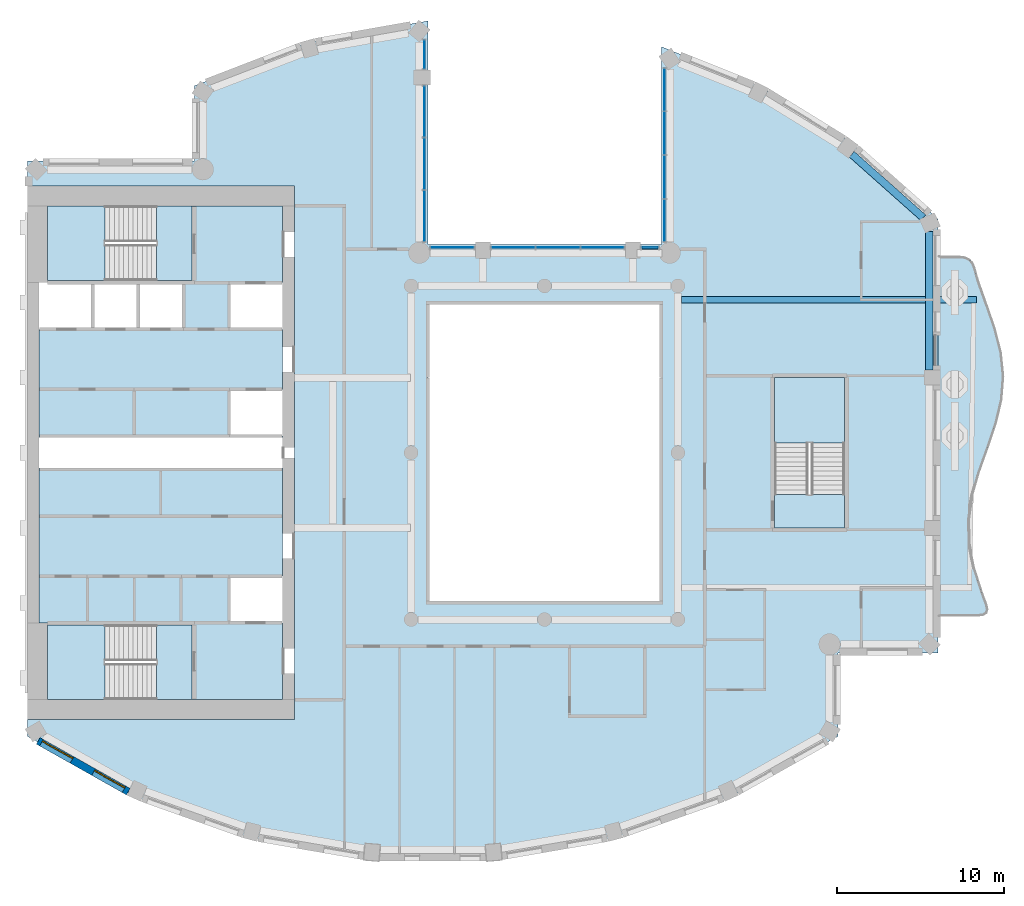
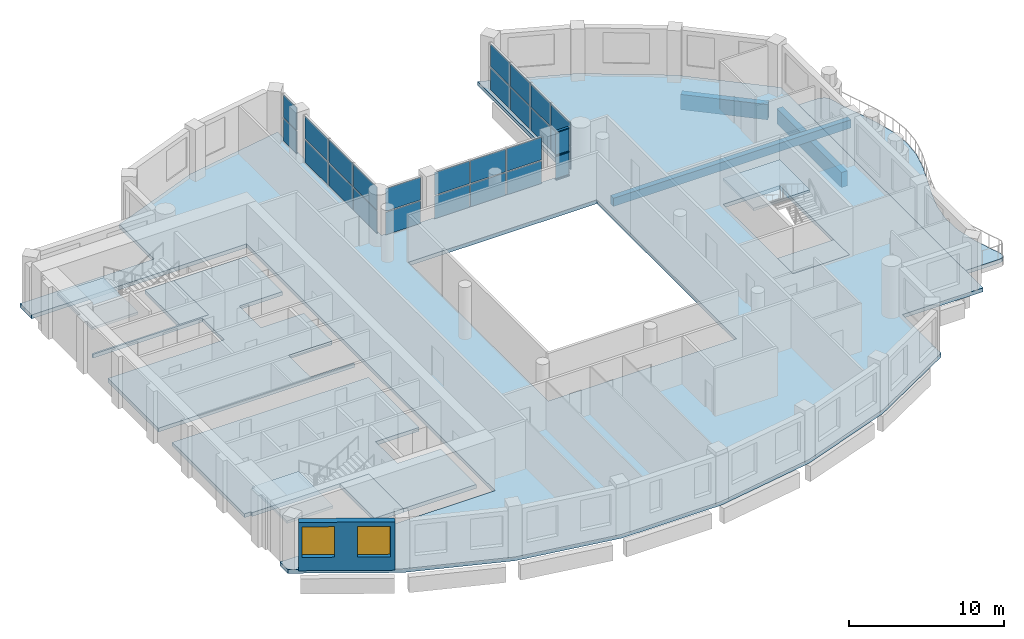
# One storey, part 3 of 14: 26 plates, 10 slabs, 3 beams, 3 members, 2 windows, 1 wall, 2 openings, 9 elements without a shape of their own.
"""IFC4 building model written with IfcOpenShell, lengths in metres."""

from ifc_helpers import new_model, si_unit, direction, frame, frame_2d, origin, origin_2d, place, context, subcontext, project, spatial, polyline, rectangle, outline, extrude, material, layer, layer_set, material_profile, profile_set, type_object, element, fill, aggregate, save


model = new_model("IFC4")

# Units and contexts
model_context = context("Model", 3, precision=1e-05, world=origin(), true_north=direction((0.0, 1.0)))
body_context = subcontext(model_context, "Body", "Model", "MODEL_VIEW")
ifc_project = project(units=[si_unit("LENGTHUNIT", "METRE"), si_unit("AREAUNIT", "SQUARE_METRE"), si_unit("VOLUMEUNIT", "CUBIC_METRE"), si_unit("PLANEANGLEUNIT", "RADIAN"), si_unit("MASSUNIT", "GRAM", prefix="KILO")], contexts=[model_context])

# Site, building, storey
site_placement = place(None, origin())
site = spatial("IfcSite", under=ifc_project, at=site_placement, CompositionType="ELEMENT")
building_placement = place(site_placement, origin())
building = spatial("IfcBuilding", under=site, at=building_placement, Name="Cypress Arch Tower", CompositionType="ELEMENT")
storey_placement = place(building_placement, frame((0.0, 0.0, 300.800048828125)))
storey = spatial("IfcBuildingStorey", under=building, at=storey_placement, Name="L68", CompositionType="ELEMENT", Elevation=300.800048828125)

# Beams
ifc_material_1 = material(Name="Concrete C50/60", Category="concrete")
ifc_material_profile_1 = material_profile(ifc_material_1, rectangle(XDim=0.39990234375, YDim=0.64990234375, at=origin_2d()), Name="RC 400x650")
ifc_profile_set_1 = profile_set([ifc_material_profile_1], Name="Concrete C50/60")
beam_type_1 = type_object("IfcBeamType", Name="Cantilever beam RC 400x650 Concrete C50/60", PredefinedType="BEAM", material=ifc_profile_set_1)
beam_1_placement = place(storey_placement, frame((9.22509765625, 9.1826171875, -0.625), z_axis=(1.0, 0.0, 0.0), x_axis=(0.0, 1.0, 0.0)))
element("IfcBeam", 1, at=beam_1_placement, inside=storey, type_object=beam_type_1, Name="Cantilever beam L68 C17 2", PredefinedType="BEAM", context=body_context, shape_type="SweptSolid", body=[
    extrude(rectangle(XDim=0.39990234375, YDim=0.64990234375, at=origin_2d()), origin(), (0.0, 0.0, 1.0), 17.661376953125),
])
ifc_material_2 = material(Name="Concrete C50/60", Category="concrete")
ifc_material_profile_2 = material_profile(ifc_material_2, rectangle(XDim=0.449951171875, YDim=1.199951171875, at=origin_2d()), Name="RC 450x1200")
ifc_profile_set_2 = profile_set([ifc_material_profile_2], Name="Concrete C50/60")
beam_type_2 = type_object("IfcBeamType", Name="Spandrel beam RC 450x1200 Concrete C50/60", PredefinedType="SPANDREL", material=ifc_profile_set_2)
beam_2_placement = place(storey_placement, frame((24.074951171875, 4.949951171875, -1.550048828125), z_axis=(0.0, 1.0, 0.0), x_axis=(-1.0, 0.0, 0.0)))
element("IfcBeam", 2, at=beam_2_placement, inside=storey, type_object=beam_type_2, Name="Spandrel beam L68 BC17-2", PredefinedType="SPANDREL", context=body_context, shape_type="SweptSolid", body=[
    extrude(rectangle(XDim=0.449951171875, YDim=1.199951171875, at=origin_2d()), origin(), (0.0, 0.0, 1.0), 8.32080078125),
])
beam_3_placement = place(storey_placement, frame((23.706298828125, 14.091796875, -1.550048828125), z_axis=(-0.747555073917, 0.664199827959, 0.0), x_axis=(-0.664199827959, -0.747555073917, 0.0)))
element("IfcBeam", 3, at=beam_3_placement, inside=storey, type_object=beam_type_2, Name="Spandrel beam L68 BC18-0", PredefinedType="SPANDREL", context=body_context, shape_type="SweptSolid", body=[
    extrude(rectangle(XDim=0.449951171875, YDim=1.199951171875, at=origin_2d()), origin(), (0.0, 0.0, 1.0), 5.72900390625),
])

# Curtain wall, members
ifc_material_3 = material(Name="Anodised aluminium, bronze finish, clear laminated double glazing", Category="aluminium")
curtain_wall_type = type_object("IfcCurtainWallType", Name="Curtain wall CW7 slot glazing", PredefinedType="NOTDEFINED", material=ifc_material_3)
curtain_wall_1_placement = place(storey_placement, origin())
curtain_wall_1 = element("IfcCurtainWall", 4, at=curtain_wall_1_placement, inside=storey, type_object=curtain_wall_type, Name="Curtain wall L68 slot C01.0", PredefinedType="NOTDEFINED")
ifc_material_4 = material(Name="Anodised aluminium, bronze finish", Category="aluminium")
ifc_material_profile_3 = material_profile(ifc_material_4, rectangle(XDim=0.179931640625, YDim=0.0849609375, at=origin_2d()), Name="Transom 85x180")
ifc_profile_set_3 = profile_set([ifc_material_profile_3], Name="Anodised aluminium, bronze finish")
member_type = type_object("IfcMemberType", Name="Transom CW7 85x180", PredefinedType="USERDEFINED", material=ifc_profile_set_3)
member_1_placement = place(storey_placement, frame((7.8134765625, 12.300048828125, 0.04248046875), z_axis=(-1.0, 0.0, 0.0), x_axis=(0.0, -1.0, 0.0)))
member_1 = element("IfcMember", 5, at=member_1_placement, type_object=member_type, Name="CW7 transom 1.1", ObjectType="TRANSOM", PredefinedType="USERDEFINED", context=body_context, shape_type="SweptSolid", body=[
    extrude(rectangle(XDim=0.179931640625, YDim=0.0849609375, at=origin_2d()), origin(), (0.0, 0.0, 1.0), 0.978515625),
])
member_2_placement = place(storey_placement, frame((7.8134765625, 12.300048828125, 1.89990234375), z_axis=(-1.0, 0.0, 0.0), x_axis=(0.0, -1.0, 0.0)))
member_2 = element("IfcMember", 6, at=member_2_placement, type_object=member_type, Name="CW7 transom 1.2", ObjectType="TRANSOM", PredefinedType="USERDEFINED", context=body_context, shape_type="SweptSolid", body=[
    extrude(rectangle(XDim=0.179931640625, YDim=0.0849609375, at=origin_2d()), origin(), (0.0, 0.0, 1.0), 0.978515625),
])
member_3_placement = place(storey_placement, frame((7.8134765625, 12.300048828125, 3.757568359375), z_axis=(-1.0, 0.0, 0.0), x_axis=(0.0, -1.0, 0.0)))
member_3 = element("IfcMember", 7, at=member_3_placement, type_object=member_type, Name="CW7 transom 1.3", ObjectType="TRANSOM", PredefinedType="USERDEFINED", context=body_context, shape_type="SweptSolid", body=[
    extrude(rectangle(XDim=0.179931640625, YDim=0.0849609375, at=origin_2d()), origin(), (0.0, 0.0, 1.0), 0.978515625),
])

# Slabs
ifc_material_5 = material(Name="Concrete C40/50", Category="concrete")
ifc_layer_1 = layer(ifc_material_5, 0.300048828125)
ifc_layer_set_1 = layer_set([ifc_layer_1], Name="Balcony slab BS300")
slab_type_1 = type_object("IfcSlabType", Name="Balcony slab BS300", PredefinedType="USERDEFINED", material=ifc_layer_set_1)
slab_1_placement = place(storey_placement, frame((0.0, 0.0, -0.300048828125)))
element("IfcSlab", 8, at=slab_1_placement, inside=storey, type_object=slab_type_1, Name="Balcony slab L68-C17", ObjectType="BALCONY SLAB", PredefinedType="USERDEFINED", context=body_context, shape_type="SweptSolid", body=[
    extrude(outline(polyline([(24.60009765625, -9.75), (27.03564453125, -9.75), (27.3212890625, -9.709716796875), (27.49169921875, -9.5888671875), (27.54736328125, -9.38720703125), (27.48779296875, -9.10498046875), (27.201904296875, -8.316650390625), (26.742919921875, -6.88330078125), (26.457275390625, -5.449951171875), (26.414794921875, -4.0166015625), (26.62646484375, -2.583251953125), (27.039794921875, -1.14990234375), (27.5537109375, 0.283447265625), (28.042236328125, 1.716552734375), (28.385498046875, 3.14990234375), (28.49951171875, 4.583251953125), (28.356201171875, 6.0166015625), (27.99072265625, 7.449951171875), (27.49267578125, 8.88330078125), (26.984130859375, 10.316650390625), (26.767333984375, 11.10498046875), (26.64794921875, 11.38720703125), (26.467041015625, 11.5888671875), (26.224609375, 11.709716796875), (25.9208984375, 11.75), (24.60009765625, 11.75), (24.60009765625, -9.75)])), origin(), (0.0, 0.0, 1.0), 0.300048828125),
])
ifc_material_6 = material(Name="Concrete C40/50", Category="concrete")
ifc_layer_2 = layer(ifc_material_6, 0.300048828125)
ifc_layer_set_2 = layer_set([ifc_layer_2], Name="Core floor CF300")
slab_type_2 = type_object("IfcSlabType", Name="Core floor CF300", PredefinedType="FLOOR", material=ifc_layer_set_2)
slab_2_placement = place(storey_placement, frame((0.0, 0.0, -0.300048828125)))
element("IfcSlab", 9, at=slab_2_placement, inside=storey, type_object=slab_type_2, Name="Core floor", PredefinedType="FLOOR", context=body_context, shape_type="SweptSolid", body=[
    extrude(outline(polyline([(-28.89990234375, -10.199951171875), (-29.300048828125, -10.199951171875), (-29.300048828125, -0.89990234375), (-28.89990234375, -0.89990234375), (-15.10009765625, -0.89990234375), (-14.699951171875, -0.89990234375), (-14.699951171875, -7.39990234375), (-15.10009765625, -7.39990234375), (-17.919921875, -7.39990234375), (-17.919921875, -10.199951171875), (-15.10009765625, -10.199951171875), (-14.699951171875, -10.199951171875), (-14.699951171875, -14.800048828125), (-15.10009765625, -14.800048828125), (-20.125, -14.800048828125), (-20.125, -10.324951171875), (-22.27490234375, -10.324951171875), (-28.800048828125, -10.324951171875), (-28.800048828125, -10.199951171875), (-28.89990234375, -10.199951171875)])), origin(), (0.0, 0.0, 1.0), 0.300048828125),
])
slab_3_placement = place(storey_placement, frame((0.0, 0.0, -0.300048828125)))
element("IfcSlab", 10, at=slab_3_placement, inside=storey, type_object=slab_type_2, Name="Core floor", PredefinedType="FLOOR", context=body_context, shape_type="SweptSolid", body=[
    extrude(outline(polyline([(-22.27490234375, -10.324951171875), (-22.27490234375, -14.800048828125), (-20.125, -14.800048828125), (-20.125, -10.324951171875), (-22.27490234375, -10.324951171875)])), origin(), (0.0, 0.0, 1.0), 0.300048828125),
])
slab_4_placement = place(storey_placement, frame((0.0, 0.0, -0.300048828125)))
element("IfcSlab", 11, at=slab_4_placement, inside=storey, type_object=slab_type_2, Name="Core floor", PredefinedType="FLOOR", context=body_context, shape_type="SweptSolid", body=[
    extrude(outline(polyline([(-20.125, 14.800048828125), (-22.27490234375, 14.800048828125), (-22.27490234375, 10.324951171875), (-20.125, 10.324951171875), (-20.125, 14.800048828125)])), origin(), (0.0, 0.0, 1.0), 0.300048828125),
])
slab_5_placement = place(storey_placement, frame((0.0, 0.0, -0.300048828125)))
element("IfcSlab", 12, at=slab_5_placement, inside=storey, type_object=slab_type_2, Name="Stair floor landing", PredefinedType="FLOOR", context=body_context, shape_type="SweptSolid", body=[
    extrude(outline(polyline([(19.0, -4.5), (19.0, -2.5), (14.800048828125, -2.5), (14.800048828125, -4.5), (19.0, -4.5)])), origin(), (0.0, 0.0, 1.0), 0.300048828125),
])
slab_6_placement = place(storey_placement, frame((0.0, 0.0, -0.300048828125)))
element("IfcSlab", 13, at=slab_6_placement, inside=storey, type_object=slab_type_2, Name="Core floor", PredefinedType="FLOOR", context=body_context, shape_type="SweptSolid", body=[
    extrude(outline(polyline([(-20.639892578125, 10.199951171875), (-23.360107421875, 10.199951171875), (-26.080078125, 10.199951171875), (-28.800048828125, 10.199951171875), (-28.800048828125, 10.324951171875), (-22.27490234375, 10.324951171875), (-20.125, 10.324951171875), (-20.125, 14.800048828125), (-15.10009765625, 14.800048828125), (-14.699951171875, 14.800048828125), (-14.699951171875, 10.199951171875), (-15.10009765625, 10.199951171875), (-17.919921875, 10.199951171875), (-17.919921875, 7.39990234375), (-15.10009765625, 7.39990234375), (-14.699951171875, 7.39990234375), (-14.699951171875, 3.800048828125), (-15.10009765625, 3.800048828125), (-17.919921875, 3.800048828125), (-17.919921875, 1.5), (-17.919921875, 1.0), (-17.5, 1.0), (-15.10009765625, 1.0), (-14.699951171875, 1.0), (-14.699951171875, 0.89990234375), (-15.10009765625, 0.89990234375), (-17.5, 0.89990234375), (-18.300048828125, 0.89990234375), (-28.89990234375, 0.89990234375), (-29.300048828125, 0.89990234375), (-29.300048828125, 1.5), (-29.300048828125, 7.39990234375), (-28.89990234375, 7.39990234375), (-26.080078125, 7.39990234375), (-23.360107421875, 7.39990234375), (-20.639892578125, 7.39990234375), (-20.639892578125, 10.199951171875)])), origin(), (0.0, 0.0, 1.0), 0.300048828125),
])

# Curtain wall, plates
curtain_wall_2_placement = place(storey_placement, origin())
curtain_wall_2 = element("IfcCurtainWall", 14, at=curtain_wall_2_placement, inside=storey, type_object=curtain_wall_type, Name="Curtain wall L68 slot C00.0", PredefinedType="NOTDEFINED")
ifc_material_7 = material(Name="Clear laminated double glazing", Category="glass")
ifc_layer_3 = layer(ifc_material_7, 0.0439453125)
ifc_layer_set_3 = layer_set([ifc_layer_3], Name="Glass panel CW7 44")
plate_type = type_object("IfcPlateType", Name="Glass panel CW7 44", PredefinedType="CURTAIN_PANEL", material=ifc_layer_set_3)
plate_1_placement = place(storey_placement, frame((8.199951171875, 21.768798828125, 0.0849609375), z_axis=(0.0, 0.0, 1.0), x_axis=(0.0, -1.0, 0.0)))
plate_1 = element("IfcPlate", 15, at=plate_1_placement, type_object=plate_type, Name="CW7 panel 1.1", PredefinedType="CURTAIN_PANEL", context=body_context, shape_type="SweptSolid", body=[
    extrude(rectangle(XDim=2.497802734375, YDim=0.0439453125, at=origin_2d()), origin(), (0.0, 0.0, 1.0), 1.7724609375),
])
plate_2_placement = place(storey_placement, frame((8.199951171875, 21.768798828125, 1.9423828125), z_axis=(0.0, 0.0, 1.0), x_axis=(0.0, -1.0, 0.0)))
plate_2 = element("IfcPlate", 16, at=plate_2_placement, type_object=plate_type, Name="CW7 panel 1.2", PredefinedType="CURTAIN_PANEL", context=body_context, shape_type="SweptSolid", body=[
    extrude(rectangle(XDim=2.497802734375, YDim=0.0439453125, at=origin_2d()), origin(), (0.0, 0.0, 1.0), 1.7724609375),
])
plate_3_placement = place(storey_placement, frame((8.199951171875, 19.164794921875, 0.0849609375), z_axis=(0.0, 0.0, 1.0), x_axis=(0.0, -1.0, 0.0)))
plate_3 = element("IfcPlate", 17, at=plate_3_placement, type_object=plate_type, Name="CW7 panel 2.1", PredefinedType="CURTAIN_PANEL", context=body_context, shape_type="SweptSolid", body=[
    extrude(rectangle(XDim=2.540283203125, YDim=0.0439453125, at=origin_2d()), origin(), (0.0, 0.0, 1.0), 1.7724609375),
])
plate_4_placement = place(storey_placement, frame((8.199951171875, 19.164794921875, 1.9423828125), z_axis=(0.0, 0.0, 1.0), x_axis=(0.0, -1.0, 0.0)))
plate_4 = element("IfcPlate", 18, at=plate_4_placement, type_object=plate_type, Name="CW7 panel 2.2", PredefinedType="CURTAIN_PANEL", context=body_context, shape_type="SweptSolid", body=[
    extrude(rectangle(XDim=2.540283203125, YDim=0.0439453125, at=origin_2d()), origin(), (0.0, 0.0, 1.0), 1.7724609375),
])
plate_5_placement = place(storey_placement, frame((8.199951171875, 16.53955078125, 0.0849609375), z_axis=(0.0, 0.0, 1.0), x_axis=(0.0, -1.0, 0.0)))
plate_5 = element("IfcPlate", 19, at=plate_5_placement, type_object=plate_type, Name="CW7 panel 3.1", PredefinedType="CURTAIN_PANEL", context=body_context, shape_type="SweptSolid", body=[
    extrude(rectangle(XDim=2.540283203125, YDim=0.0439453125, at=origin_2d()), origin(), (0.0, 0.0, 1.0), 1.7724609375),
])
plate_6_placement = place(storey_placement, frame((8.199951171875, 16.53955078125, 1.9423828125), z_axis=(0.0, 0.0, 1.0), x_axis=(0.0, -1.0, 0.0)))
plate_6 = element("IfcPlate", 20, at=plate_6_placement, type_object=plate_type, Name="CW7 panel 3.2", PredefinedType="CURTAIN_PANEL", context=body_context, shape_type="SweptSolid", body=[
    extrude(rectangle(XDim=2.540283203125, YDim=0.0439453125, at=origin_2d()), origin(), (0.0, 0.0, 1.0), 1.7724609375),
])
plate_7_placement = place(storey_placement, frame((8.199951171875, 13.935302734375, 0.0849609375), z_axis=(0.0, 0.0, 1.0), x_axis=(0.0, -1.0, 0.0)))
plate_7 = element("IfcPlate", 21, at=plate_7_placement, type_object=plate_type, Name="CW7 panel 4.1", PredefinedType="CURTAIN_PANEL", context=body_context, shape_type="SweptSolid", body=[
    extrude(rectangle(XDim=2.497802734375, YDim=0.0439453125, at=origin_2d()), origin(), (0.0, 0.0, 1.0), 1.7724609375),
])
plate_8_placement = place(storey_placement, frame((8.199951171875, 13.935302734375, 1.9423828125), z_axis=(0.0, 0.0, 1.0), x_axis=(0.0, -1.0, 0.0)))
plate_8 = element("IfcPlate", 22, at=plate_8_placement, type_object=plate_type, Name="CW7 panel 4.2", PredefinedType="CURTAIN_PANEL", context=body_context, shape_type="SweptSolid", body=[
    extrude(rectangle(XDim=2.497802734375, YDim=0.0439453125, at=origin_2d()), origin(), (0.0, 0.0, 1.0), 1.7724609375),
])
aggregate(curtain_wall_2, [plate_1, plate_2, plate_3, plate_4, plate_5, plate_6, plate_7, plate_8])

# Plate
plate_9_placement = place(storey_placement, frame((7.32421875, 12.300048828125, 0.0849609375), z_axis=(0.0, 0.0, 1.0), x_axis=(-1.0, 0.0, 0.0)))
plate_9 = element("IfcPlate", 23, at=plate_9_placement, type_object=plate_type, Name="CW7 panel 1.1", PredefinedType="CURTAIN_PANEL", context=body_context, shape_type="SweptSolid", body=[
    extrude(rectangle(XDim=0.978515625, YDim=0.0439453125, at=origin_2d()), origin(), (0.0, 0.0, 1.0), 1.7724609375),
])

plate_10_placement = place(storey_placement, frame((7.32421875, 12.300048828125, 1.9423828125), z_axis=(0.0, 0.0, 1.0), x_axis=(-1.0, 0.0, 0.0)))
plate_10 = element("IfcPlate", 24, at=plate_10_placement, type_object=plate_type, Name="CW7 panel 1.2", PredefinedType="CURTAIN_PANEL", context=body_context, shape_type="SweptSolid", body=[
    extrude(rectangle(XDim=0.978515625, YDim=0.0439453125, at=origin_2d()), origin(), (0.0, 0.0, 1.0), 1.7724609375),
])

aggregate(curtain_wall_1, [member_1, member_2, member_3, plate_9, plate_10])

# Curtain wall, plates
curtain_wall_3_placement = place(storey_placement, origin())
curtain_wall_3 = element("IfcCurtainWall", 25, at=curtain_wall_3_placement, inside=storey, type_object=curtain_wall_type, Name="Curtain wall L68 slot C01.1", PredefinedType="NOTDEFINED")
plate_11_placement = place(storey_placement, frame((4.478759765625, 12.300048828125, 0.0849609375), z_axis=(0.0, 0.0, 1.0), x_axis=(-1.0, 0.0, 0.0)))
plate_11 = element("IfcPlate", 26, at=plate_11_placement, type_object=plate_type, Name="CW7 panel 1.1", PredefinedType="CURTAIN_PANEL", context=body_context, shape_type="SweptSolid", body=[
    extrude(rectangle(XDim=2.572509765625, YDim=0.0439453125, at=origin_2d()), origin(), (0.0, 0.0, 1.0), 1.7724609375),
])
plate_12_placement = place(storey_placement, frame((4.478759765625, 12.300048828125, 1.9423828125), z_axis=(0.0, 0.0, 1.0), x_axis=(-1.0, 0.0, 0.0)))
plate_12 = element("IfcPlate", 27, at=plate_12_placement, type_object=plate_type, Name="CW7 panel 1.2", PredefinedType="CURTAIN_PANEL", context=body_context, shape_type="SweptSolid", body=[
    extrude(rectangle(XDim=2.572509765625, YDim=0.0439453125, at=origin_2d()), origin(), (0.0, 0.0, 1.0), 1.7724609375),
])
plate_13_placement = place(storey_placement, frame((1.800048828125, 12.300048828125, 0.0849609375), z_axis=(0.0, 0.0, 1.0), x_axis=(-1.0, 0.0, 0.0)))
plate_13 = element("IfcPlate", 28, at=plate_13_placement, type_object=plate_type, Name="CW7 panel 2.1", PredefinedType="CURTAIN_PANEL", context=body_context, shape_type="SweptSolid", body=[
    extrude(rectangle(XDim=2.614990234375, YDim=0.0439453125, at=origin_2d()), origin(), (0.0, 0.0, 1.0), 1.7724609375),
])
plate_14_placement = place(storey_placement, frame((1.800048828125, 12.300048828125, 1.9423828125), z_axis=(0.0, 0.0, 1.0), x_axis=(-1.0, 0.0, 0.0)))
plate_14 = element("IfcPlate", 29, at=plate_14_placement, type_object=plate_type, Name="CW7 panel 2.2", PredefinedType="CURTAIN_PANEL", context=body_context, shape_type="SweptSolid", body=[
    extrude(rectangle(XDim=2.614990234375, YDim=0.0439453125, at=origin_2d()), origin(), (0.0, 0.0, 1.0), 1.7724609375),
])
plate_15_placement = place(storey_placement, frame((-0.878662109375, 12.300048828125, 0.0849609375), z_axis=(0.0, 0.0, 1.0), x_axis=(-1.0, 0.0, 0.0)))
plate_15 = element("IfcPlate", 30, at=plate_15_placement, type_object=plate_type, Name="CW7 panel 3.1", PredefinedType="CURTAIN_PANEL", context=body_context, shape_type="SweptSolid", body=[
    extrude(rectangle(XDim=2.572509765625, YDim=0.0439453125, at=origin_2d()), origin(), (0.0, 0.0, 1.0), 1.7724609375),
])
plate_16_placement = place(storey_placement, frame((-0.878662109375, 12.300048828125, 1.9423828125), z_axis=(0.0, 0.0, 1.0), x_axis=(-1.0, 0.0, 0.0)))
plate_16 = element("IfcPlate", 31, at=plate_16_placement, type_object=plate_type, Name="CW7 panel 3.2", PredefinedType="CURTAIN_PANEL", context=body_context, shape_type="SweptSolid", body=[
    extrude(rectangle(XDim=2.572509765625, YDim=0.0439453125, at=origin_2d()), origin(), (0.0, 0.0, 1.0), 1.7724609375),
])
aggregate(curtain_wall_3, [plate_11, plate_12, plate_13, plate_14, plate_15, plate_16])

curtain_wall_4_placement = place(storey_placement, origin())
curtain_wall_4 = element("IfcCurtainWall", 32, at=curtain_wall_4_placement, inside=storey, type_object=curtain_wall_type, Name="Curtain wall L68 slot C01.2", PredefinedType="NOTDEFINED")
plate_17_placement = place(storey_placement, frame((-4.524169921875, 12.300048828125, 0.0849609375), z_axis=(0.0, 0.0, 1.0), x_axis=(-1.0, 0.0, 0.0)))
plate_17 = element("IfcPlate", 33, at=plate_17_placement, type_object=plate_type, Name="CW7 panel 1.1", PredefinedType="CURTAIN_PANEL", context=body_context, shape_type="SweptSolid", body=[
    extrude(rectangle(XDim=2.57861328125, YDim=0.0439453125, at=origin_2d()), origin(), (0.0, 0.0, 1.0), 1.7724609375),
])
plate_18_placement = place(storey_placement, frame((-4.524169921875, 12.300048828125, 1.9423828125), z_axis=(0.0, 0.0, 1.0), x_axis=(-1.0, 0.0, 0.0)))
plate_18 = element("IfcPlate", 34, at=plate_18_placement, type_object=plate_type, Name="CW7 panel 1.2", PredefinedType="CURTAIN_PANEL", context=body_context, shape_type="SweptSolid", body=[
    extrude(rectangle(XDim=2.57861328125, YDim=0.0439453125, at=origin_2d()), origin(), (0.0, 0.0, 1.0), 1.7724609375),
])
aggregate(curtain_wall_4, [plate_17, plate_18])

curtain_wall_5_placement = place(storey_placement, origin())
curtain_wall_5 = element("IfcCurtainWall", 35, at=curtain_wall_5_placement, inside=storey, type_object=curtain_wall_type, Name="Curtain wall L68 slot C02.0", PredefinedType="NOTDEFINED")
plate_19_placement = place(storey_placement, frame((-6.199951171875, 14.197509765625, 0.0849609375), z_axis=(0.0, 0.0, 1.0), x_axis=(0.0, 1.0, 0.0)))
plate_19 = element("IfcPlate", 36, at=plate_19_placement, type_object=plate_type, Name="CW7 panel 1.1", PredefinedType="CURTAIN_PANEL", context=body_context, shape_type="SweptSolid", body=[
    extrude(rectangle(XDim=3.02197265625, YDim=0.0439453125, at=origin_2d()), origin(), (0.0, 0.0, 1.0), 1.7724609375),
])
plate_20_placement = place(storey_placement, frame((-6.199951171875, 14.197509765625, 1.9423828125), z_axis=(0.0, 0.0, 1.0), x_axis=(0.0, 1.0, 0.0)))
plate_20 = element("IfcPlate", 37, at=plate_20_placement, type_object=plate_type, Name="CW7 panel 1.2", PredefinedType="CURTAIN_PANEL", context=body_context, shape_type="SweptSolid", body=[
    extrude(rectangle(XDim=3.02197265625, YDim=0.0439453125, at=origin_2d()), origin(), (0.0, 0.0, 1.0), 1.7724609375),
])
plate_21_placement = place(storey_placement, frame((-6.199951171875, 17.32568359375, 0.0849609375), z_axis=(0.0, 0.0, 1.0), x_axis=(0.0, 1.0, 0.0)))
plate_21 = element("IfcPlate", 38, at=plate_21_placement, type_object=plate_type, Name="CW7 panel 2.1", PredefinedType="CURTAIN_PANEL", context=body_context, shape_type="SweptSolid", body=[
    extrude(rectangle(XDim=3.064453125, YDim=0.0439453125, at=origin_2d()), origin(), (0.0, 0.0, 1.0), 1.7724609375),
])
plate_22_placement = place(storey_placement, frame((-6.199951171875, 17.32568359375, 1.9423828125), z_axis=(0.0, 0.0, 1.0), x_axis=(0.0, 1.0, 0.0)))
plate_22 = element("IfcPlate", 39, at=plate_22_placement, type_object=plate_type, Name="CW7 panel 2.2", PredefinedType="CURTAIN_PANEL", context=body_context, shape_type="SweptSolid", body=[
    extrude(rectangle(XDim=3.064453125, YDim=0.0439453125, at=origin_2d()), origin(), (0.0, 0.0, 1.0), 1.7724609375),
])
plate_23_placement = place(storey_placement, frame((-6.199951171875, 20.4541015625, 0.0849609375), z_axis=(0.0, 0.0, 1.0), x_axis=(0.0, 1.0, 0.0)))
plate_23 = element("IfcPlate", 40, at=plate_23_placement, type_object=plate_type, Name="CW7 panel 3.1", PredefinedType="CURTAIN_PANEL", context=body_context, shape_type="SweptSolid", body=[
    extrude(rectangle(XDim=3.02197265625, YDim=0.0439453125, at=origin_2d()), origin(), (0.0, 0.0, 1.0), 1.7724609375),
])
plate_24_placement = place(storey_placement, frame((-6.199951171875, 20.4541015625, 1.9423828125), z_axis=(0.0, 0.0, 1.0), x_axis=(0.0, 1.0, 0.0)))
plate_24 = element("IfcPlate", 41, at=plate_24_placement, type_object=plate_type, Name="CW7 panel 3.2", PredefinedType="CURTAIN_PANEL", context=body_context, shape_type="SweptSolid", body=[
    extrude(rectangle(XDim=3.02197265625, YDim=0.0439453125, at=origin_2d()), origin(), (0.0, 0.0, 1.0), 1.7724609375),
])
aggregate(curtain_wall_5, [plate_19, plate_20, plate_21, plate_22, plate_23, plate_24])

curtain_wall_6_placement = place(storey_placement, origin())
curtain_wall_6 = element("IfcCurtainWall", 42, at=curtain_wall_6_placement, inside=storey, type_object=curtain_wall_type, Name="Curtain wall L68 slot C02.1", PredefinedType="NOTDEFINED")
plate_25_placement = place(storey_placement, frame((-6.199951171875, 23.89111328125, 0.0849609375), z_axis=(0.0, 0.0, 1.0), x_axis=(0.0, 1.0, 0.0)))
plate_25 = element("IfcPlate", 43, at=plate_25_placement, type_object=plate_type, Name="CW7 panel 1.1", PredefinedType="CURTAIN_PANEL", context=body_context, shape_type="SweptSolid", body=[
    extrude(rectangle(XDim=1.71240234375, YDim=0.0439453125, at=origin_2d()), origin(), (0.0, 0.0, 1.0), 1.7724609375),
])
plate_26_placement = place(storey_placement, frame((-6.199951171875, 23.89111328125, 1.9423828125), z_axis=(0.0, 0.0, 1.0), x_axis=(0.0, 1.0, 0.0)))
plate_26 = element("IfcPlate", 44, at=plate_26_placement, type_object=plate_type, Name="CW7 panel 1.2", PredefinedType="CURTAIN_PANEL", context=body_context, shape_type="SweptSolid", body=[
    extrude(rectangle(XDim=1.71240234375, YDim=0.0439453125, at=origin_2d()), origin(), (0.0, 0.0, 1.0), 1.7724609375),
])
aggregate(curtain_wall_6, [plate_25, plate_26])

# Slab
ifc_material_8 = material(Name="Concrete C40/50", Category="concrete")
ifc_layer_4 = layer(ifc_material_8, 0.300048828125)
ifc_layer_set_4 = layer_set([ifc_layer_4], Name="PT flat slab 300 Concrete C40/50")
slab_type_3 = type_object("IfcSlabType", Name="PT flat slab 300 Concrete C40/50", PredefinedType="FLOOR", material=ifc_layer_set_4)
slab_7_placement = place(storey_placement, frame((0.0, 0.0, -0.300048828125)))
element("IfcSlab", 45, at=slab_7_placement, inside=storey, type_object=slab_type_3, Name="Floor slab L68", PredefinedType="FLOOR", context=body_context, shape_type="SweptSolid", body=[
    extrude(outline(polyline([(-30.0, 17.5), (-20.0, 17.5), (-20.0, 22.0), (-13.199951171875, 24.6201171875), (-6.0, 25.889892578125), (-6.0, 12.5), (8.0, 12.5), (8.0, 24.35009765625), (14.0, 21.93994140625), (19.39990234375, 18.6201171875), (24.60009765625, 14.0), (24.60009765625, -12.0), (18.60009765625, -12.0), (18.60009765625, -17.0), (12.179931640625, -20.6201171875), (5.239990234375, -23.090087890625), (-2.02001953125, -24.340087890625), (-9.3798828125, -24.340087890625), (-16.639892578125, -23.090087890625), (-23.580078125, -20.6201171875), (-30.0, -17.0), (-30.0, -16.0), (-14.0, -16.0), (-14.0, 16.0), (-30.0, 16.0), (-30.0, 17.5)]), holes=[polyline([(-6.0, -9.0), (8.0, -9.0), (8.0, 9.0), (-6.0, 9.0), (-6.0, -9.0)]), polyline([(14.800048828125, -4.5), (19.0, -4.5), (19.0, 4.5), (14.800048828125, 4.5), (14.800048828125, -4.5)])]), origin(), (0.0, 0.0, 1.0), 0.300048828125),
])

# Stair, slab
ifc_material_9 = material(Name="Concrete C40/50", Category="concrete")
stair_type_1 = type_object("IfcStairType", Name="Exit stair ES1708-215", PredefinedType="HALF_TURN_STAIR", material=ifc_material_9)
stair_1_placement = place(storey_placement, origin())
stair_1 = element("IfcStair", 46, at=stair_1_placement, inside=storey, type_object=stair_type_1, Name="L68 Exit stair A", PredefinedType="HALF_TURN_STAIR")
ifc_material_10 = material(Name="Concrete C40/50", Category="concrete")
ifc_layer_5 = layer(ifc_material_10, 0.199951171875)
ifc_layer_set_5 = layer_set([ifc_layer_5], Name="Stair landing SL200")
slab_type_4 = type_object("IfcSlabType", Name="Stair landing SL200", PredefinedType="LANDING", material=ifc_layer_set_5)
slab_8_placement = place(storey_placement, frame((0.0, 0.0, 1.849853515625)))
slab_8 = element("IfcSlab", 47, at=slab_8_placement, type_object=slab_type_4, Name="A landing 1", PredefinedType="LANDING", context=body_context, shape_type="SweptSolid", body=[
    extrude(outline(polyline([(-25.35498046875, -10.324951171875), (-28.800048828125, -10.324951171875), (-28.800048828125, -14.800048828125), (-25.35498046875, -14.800048828125), (-25.35498046875, -10.324951171875)])), origin(), (0.0, 0.0, 1.0), 0.2001953125),
])
aggregate(stair_1, [slab_8])

stair_2_placement = place(storey_placement, origin())
stair_2 = element("IfcStair", 48, at=stair_2_placement, inside=storey, type_object=stair_type_1, Name="L68 Exit stair B", PredefinedType="HALF_TURN_STAIR")
slab_9_placement = place(storey_placement, frame((0.0, 0.0, 1.849853515625)))
slab_9 = element("IfcSlab", 49, at=slab_9_placement, type_object=slab_type_4, Name="B landing 1", PredefinedType="LANDING", context=body_context, shape_type="SweptSolid", body=[
    extrude(outline(polyline([(-25.35498046875, 14.800048828125), (-28.800048828125, 14.800048828125), (-28.800048828125, 10.324951171875), (-25.35498046875, 10.324951171875), (-25.35498046875, 14.800048828125)])), origin(), (0.0, 0.0, 1.0), 0.2001953125),
])
aggregate(stair_2, [slab_9])

ifc_material_11 = material(Name="Concrete C40/50", Category="concrete")
stair_type_2 = type_object("IfcStairType", Name="Exit stair ES1708-200", PredefinedType="HALF_TURN_STAIR", material=ifc_material_11)
stair_3_placement = place(storey_placement, origin())
stair_3 = element("IfcStair", 50, at=stair_3_placement, inside=storey, type_object=stair_type_2, Name="L68 Exit stair C", PredefinedType="HALF_TURN_STAIR")
slab_10_placement = place(storey_placement, frame((0.0, 0.0, 1.849853515625)))
slab_10 = element("IfcSlab", 51, at=slab_10_placement, type_object=slab_type_4, Name="C landing 1", PredefinedType="LANDING", context=body_context, shape_type="SweptSolid", body=[
    extrude(outline(polyline([(19.0, 0.580078125), (19.0, 4.5), (14.800048828125, 4.5), (14.800048828125, 0.580078125), (19.0, 0.580078125)])), origin(), (0.0, 0.0, 1.0), 0.2001953125),
])
aggregate(stair_3, [slab_10])

# Wall, openings, windows
ifc_material_12 = material(Name="Brick (red buff blend)", Category="masonry")
ifc_layer_6 = layer(ifc_material_12, 0.449951171875)
ifc_layer_set_6 = layer_set([ifc_layer_6], Name="Brick pier and spandrel wall BW450")
wall_type = type_object("IfcWallType", Name="Brick pier and spandrel wall BW450", PredefinedType="SOLIDWALL", material=ifc_layer_set_6)
wall_placement = place(storey_placement, frame((-29.3564453125, -17.276611328125, 0.0), z_axis=(0.0, 0.0, 1.0), x_axis=(0.871065783524, -0.491166367714, 0.0)))
wall = element("IfcWall", 52, at=wall_placement, inside=storey, type_object=wall_type, Name="Brick wall L68 C08.0", PredefinedType="SOLIDWALL", context=body_context, shape_type="SweptSolid", body=[
    extrude(rectangle(XDim=6.1962890625, YDim=0.449951171875, at=frame_2d((3.09814453125, 0.0))), origin(), (0.0, 0.0, 1.0), 3.800048828125),
])
opening_1_placement = place(wall_placement, frame((0.22119140625, 0.0, 1.050048828125)))
opening_1 = element("IfcOpeningElement", 53, at=opening_1_placement, cuts=wall, Name="Opening W210O", PredefinedType="OPENING", context=body_context, shape_type="SweptSolid", body=[
    extrude(rectangle(XDim=2.10009765625, YDim=2.39990234375, at=frame_2d((1.050048828125, 1.199951171875))), frame((0.0, 0.23486328125, 0.0), z_axis=(0.0, -1.0, 0.0), x_axis=(1.0, 0.0, 0.0)), (0.0, 0.0, 1.0), 0.469970703125),
])
opening_2_placement = place(wall_placement, frame((3.8056640625, 0.0, 1.050048828125)))
opening_2 = element("IfcOpeningElement", 54, at=opening_2_placement, cuts=wall, Name="Opening W210O", PredefinedType="OPENING", context=body_context, shape_type="SweptSolid", body=[
    extrude(rectangle(XDim=2.10009765625, YDim=2.39990234375, at=frame_2d((1.050048828125, 1.199951171875))), frame((0.0, 0.23486328125, 0.0), z_axis=(0.0, -1.0, 0.0), x_axis=(1.0, 0.0, 0.0)), (0.0, 0.0, 1.0), 0.469970703125),
])
ifc_material_13 = material(Name="Anodised aluminium, bronze finish, clear low-emissivity double glazing", Category="aluminium")
window_type = type_object("IfcWindowType", Name="Window Office 2100x2400", PartitioningType="SINGLE_PANEL", PredefinedType="WINDOW", material=ifc_material_13)
window_1_placement = place(opening_1_placement, origin())
window_1 = element("IfcWindow", 55, at=window_1_placement, inside=storey, type_object=window_type, Name="Window L68 C08.0.1", OverallHeight=2.39990234375, OverallWidth=2.10009765625, PartitioningType="SINGLE_PANEL", PredefinedType="WINDOW", context=body_context, shape_type="SweptSolid", body=[
    extrude(rectangle(XDim=2.10009765625, YDim=2.39990234375, at=frame_2d((1.050048828125, 1.199951171875))), frame((0.0, 0.135009765625, 0.0), z_axis=(0.0, -1.0, 0.0), x_axis=(1.0, 0.0, 0.0)), (0.0, 0.0, 1.0), 0.06005859375),
])
fill(opening_1, window_1)
window_2_placement = place(opening_2_placement, origin())
window_2 = element("IfcWindow", 56, at=window_2_placement, inside=storey, type_object=window_type, Name="Window L68 C08.0.2", OverallHeight=2.39990234375, OverallWidth=2.10009765625, PartitioningType="SINGLE_PANEL", PredefinedType="WINDOW", context=body_context, shape_type="SweptSolid", body=[
    extrude(rectangle(XDim=2.10009765625, YDim=2.39990234375, at=frame_2d((1.050048828125, 1.199951171875))), frame((0.0, 0.135009765625, 0.0), z_axis=(0.0, -1.0, 0.0), x_axis=(1.0, 0.0, 0.0)), (0.0, 0.0, 1.0), 0.06005859375),
])
fill(opening_2, window_2)

save(model, "model.ifc")
